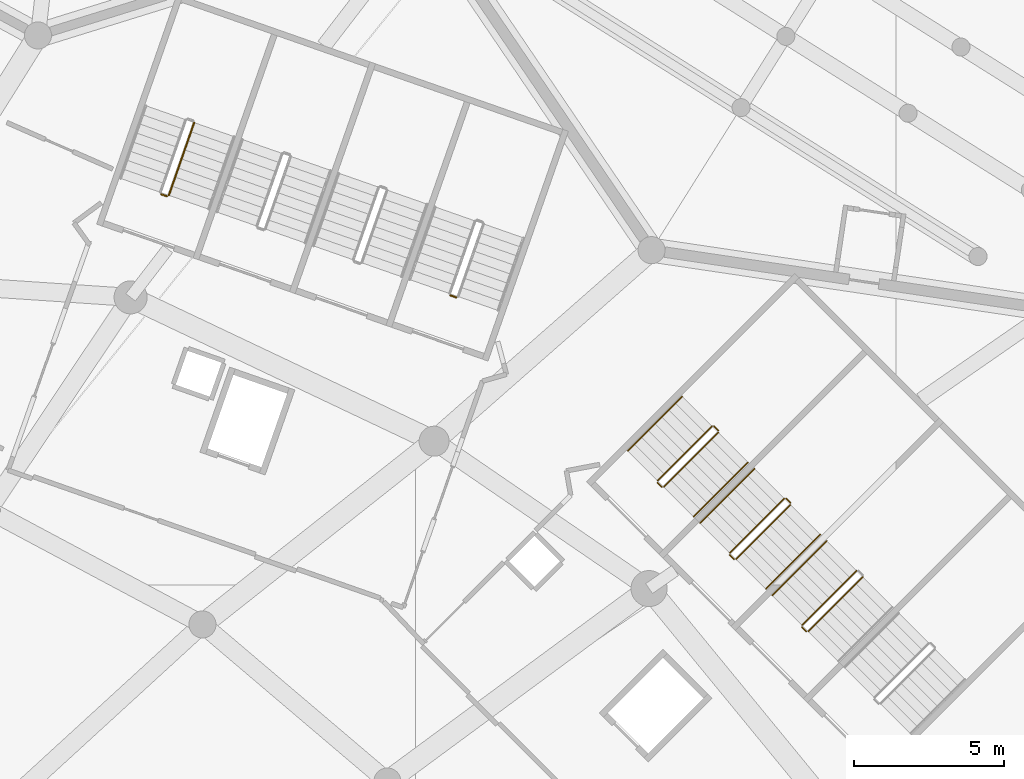
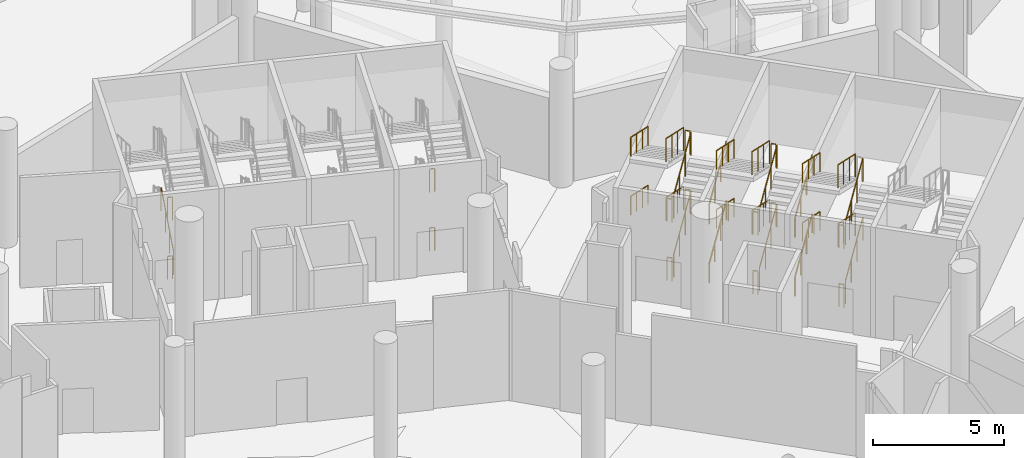
# One storey, part 268 of 271: 37 railings.
"""IFC4 building model written with IfcOpenShell, lengths in metres."""

import ifcopenshell
import ifcopenshell.guid

model = None  # the IFC model being written
_history = None  # IfcOwnerHistory: only IFC2X3 demands one
_inside = {}  # id of a spatial element -> (the spatial element, [elements in it])
_under = {}  # id of a project, library or spatial element -> (it, [spatial elements below it])
_declared = {}  # id of a project -> (the project, [libraries it declares])
_typed = {}  # id of a type object -> (the type object, [elements of that type])
_made_of = {}  # id of a material, layer set ... -> (it, [elements and type objects made of it])


def new_model(schema):
    """Start an empty IFC model of exactly this schema.

    Asked for "IFC4X3", IfcOpenShell would pick the latest addendum, in which some entities
    have other attributes; the version numbers below select the first issue.
    IFC2X3 requires an IfcOwnerHistory on every rooted entity: one is made here for all.
    """
    global model, _history
    if schema == "IFC4X3":
        model = ifcopenshell.file(schema_version=(4, 3, 0, 0))
    else:
        model = ifcopenshell.file(schema=schema)
    _inside.clear()
    _under.clear()
    _declared.clear()
    _typed.clear()
    _made_of.clear()
    _history = None
    if model.schema == "IFC2X3":
        org = make("IfcOrganization", Name="unknown")
        user = make(
            "IfcPersonAndOrganization",
            ThePerson=make("IfcPerson", FamilyName="unknown"),
            TheOrganization=org,
        )
        app = make(
            "IfcApplication",
            ApplicationDeveloper=org,
            Version="unknown",
            ApplicationFullName="unknown",
            ApplicationIdentifier="unknown",
        )
        _history = make(
            "IfcOwnerHistory",
            OwningUser=user,
            OwningApplication=app,
            ChangeAction="ADDED",
            CreationDate=0,
        )
    return model


def make(cls, **values):
    """One entity of the class cls with the attributes given. An attribute that is None is left unset."""
    return model.create_entity(
        cls, **{name: value for name, value in values.items() if value is not None}
    )


def rooted(cls, **values):
    """An entity with a GlobalId (a new one), such as an element, a storey or a relation."""
    return make(cls, GlobalId=ifcopenshell.guid.new(), OwnerHistory=_history, **values)


def si_unit(unit_type, name, prefix=None):
    """IfcSIUnit, for example si_unit("LENGTHUNIT", "METRE", prefix="MILLI")."""
    return make("IfcSIUnit", UnitType=unit_type, Prefix=prefix, Name=name)


def assignment(units):
    """IfcUnitAssignment: the units of a project."""
    return None if units is None else make("IfcUnitAssignment", Units=units)


def point(xyz):
    """IfcCartesianPoint."""
    return None if xyz is None else make("IfcCartesianPoint", Coordinates=xyz)


def direction(xyz):
    """IfcDirection."""
    return None if xyz is None else make("IfcDirection", DirectionRatios=xyz)


def frame(location, z_axis=None, x_axis=None):
    """IfcAxis2Placement3D, a coordinate frame: its origin and axes. An axis left out is left unset."""
    return make(
        "IfcAxis2Placement3D",
        Location=point(location),
        Axis=direction(z_axis),
        RefDirection=direction(x_axis),
    )


def frame_2d(location, x_axis=None):
    """IfcAxis2Placement2D, a coordinate frame in the plane: its origin and x axis."""
    return make(
        "IfcAxis2Placement2D", Location=point(location), RefDirection=direction(x_axis)
    )


def origin():
    """The frame at (0, 0, 0) with its axes left unset."""
    return frame((0.0, 0.0, 0.0))


def origin_2d():
    """The frame at (0, 0) in the plane with its x axis left unset."""
    return frame_2d((0.0, 0.0))


def place(relative_to, where):
    """IfcLocalPlacement: puts the frame where relative to a parent placement (None: the world)."""
    return make(
        "IfcLocalPlacement", PlacementRelTo=relative_to, RelativePlacement=where
    )


def context(
    kind, dimensions, precision=None, world=None, true_north=None, identifier=None
):
    """IfcGeometricRepresentationContext, for example the 3D "Model" context."""
    return make(
        "IfcGeometricRepresentationContext",
        ContextIdentifier=identifier,
        ContextType=kind,
        CoordinateSpaceDimension=dimensions,
        Precision=precision,
        WorldCoordinateSystem=world,
        TrueNorth=true_north,
    )


def subcontext(parent, identifier, kind, view, scale=None):
    """IfcGeometricRepresentationSubContext, for example "Body" below "Model"."""
    return make(
        "IfcGeometricRepresentationSubContext",
        ContextIdentifier=identifier,
        ContextType=kind,
        ParentContext=parent,
        TargetScale=scale,
        TargetView=view,
    )


def project(units=None, contexts=None):
    """IfcProject with its units and contexts."""
    return rooted(
        "IfcProject",
        Name="project",
        RepresentationContexts=contexts,
        UnitsInContext=assignment(units),
    )


def spatial(cls, under=None, at=None, **own):
    """A site, building, storey or space (cls), placed at a placement, below another one or the project."""
    s = rooted(cls, ObjectPlacement=at, **own)
    if under is not None:
        _under.setdefault(under.id(), (under, []))[1].append(s)
    return s


def profile(cls, at=None, kind="AREA", **sizes):
    """A parametric profile (cls). Its sizes go by their IFC names, for example OverallWidth=200.0."""
    return make(cls, ProfileType=kind, Position=at, **sizes)


def circle(**sizes):
    """IfcCircleProfileDef."""
    return profile("IfcCircleProfileDef", **sizes)


def extrude(swept, where, along, depth):
    """IfcExtrudedAreaSolid: the profile swept, set in the frame where, extruded along a direction by depth."""
    return make(
        "IfcExtrudedAreaSolid",
        SweptArea=swept,
        Position=where,
        ExtrudedDirection=direction(along),
        Depth=depth,
    )


def shape(context_of_items, identifier, shape_type, items):
    """IfcShapeRepresentation: the items that make up one representation, for example the "Body"."""
    return make(
        "IfcShapeRepresentation",
        ContextOfItems=context_of_items,
        RepresentationIdentifier=identifier,
        RepresentationType=shape_type,
        Items=items,
    )


def material(Name=None, Category=None):
    """IfcMaterial."""
    return make("IfcMaterial", Name=Name, Category=Category)


def made_of(thing, what):
    """Note that an element or type object is made of a material, layer set ...; save() writes the relation."""
    if what is not None:
        _made_of.setdefault(what.id(), (what, []))[1].append(thing)
    return thing


def type_object(cls, material=None, **own):
    """A type object (cls), such as IfcWallType, which elements share."""
    return made_of(rooted(cls, **own), material)


def element(
    cls,
    number,
    at=None,
    inside=None,
    cuts=None,
    type_object=None,
    material=None,
    context=None,
    identifier="Body",
    shape_type=None,
    held_by="IfcProductDefinitionShape",
    body=None,
    shapes=None,
    **own,
):
    """One element of the class cls, such as IfcWall. Its Tag is "e" and its number.

    at: its placement. inside: the storey or other place that contains it. cuts: it is an
    opening in that element (IfcRelVoidsElement). A single representation is given by context,
    identifier, shape_type and body (its items); several are given by shapes. held_by: the class
    of the entity that holds the representations. save() writes the other relations.
    """
    e = rooted(cls, Tag="e%d" % number, ObjectPlacement=at, **own)
    if body is not None:
        shapes = [shape(context, identifier, shape_type, body)]
    if shapes is not None:
        e.Representation = make(held_by, Representations=shapes)
    if inside is not None:
        _inside.setdefault(inside.id(), (inside, []))[1].append(e)
    if cuts is not None:
        rooted(
            "IfcRelVoidsElement", RelatingBuildingElement=cuts, RelatedOpeningElement=e
        )
    if type_object is not None:
        _typed.setdefault(type_object.id(), (type_object, []))[1].append(e)
    return made_of(e, material)


def aggregate(whole, parts):
    """IfcRelAggregates: a whole, such as a stair, and the parts it consists of."""
    return rooted("IfcRelAggregates", RelatingObject=whole, RelatedObjects=parts)


def save(model, path):
    """Write the relations noted so far, then the file.

    IfcRelAggregates (storeys below a building ...), IfcRelContainedInSpatialStructure (elements
    in a storey), IfcRelDefinesByType, IfcRelAssociatesMaterial and IfcRelDeclares: one each for
    every whole, place, type object, material and project.
    """
    for whole, parts in _under.values():
        aggregate(whole, parts)
    for where, things in _inside.values():
        rooted(
            "IfcRelContainedInSpatialStructure",
            RelatedElements=things,
            RelatingStructure=where,
        )
    for kind, things in _typed.values():
        rooted("IfcRelDefinesByType", RelatedObjects=things, RelatingType=kind)
    for what, things in _made_of.values():
        rooted("IfcRelAssociatesMaterial", RelatedObjects=things, RelatingMaterial=what)
    for by, libraries in _declared.values():
        rooted("IfcRelDeclares", RelatingContext=by, RelatedDefinitions=libraries)
    model.write(path)


model = new_model("IFC4")

# Units and contexts
model_context = context("Model", 3, precision=1e-05, world=origin(), true_north=direction((0.0, 1.0)))
body_context = subcontext(model_context, "Body", "Model", "MODEL_VIEW")
ifc_project = project(units=[si_unit("LENGTHUNIT", "METRE"), si_unit("AREAUNIT", "SQUARE_METRE"), si_unit("VOLUMEUNIT", "CUBIC_METRE"), si_unit("PLANEANGLEUNIT", "RADIAN"), si_unit("MASSUNIT", "GRAM", prefix="KILO")], contexts=[model_context])

# Site, building, storey
site_placement = place(None, origin())
site = spatial("IfcSite", under=ifc_project, at=site_placement, CompositionType="ELEMENT")
building_placement = place(site_placement, origin())
building = spatial("IfcBuilding", under=site, at=building_placement, Name="Meseta Stadium", CompositionType="ELEMENT")
storey_placement = place(building_placement, frame((0.0, 0.0, 6.5)))
storey = spatial("IfcBuildingStorey", under=building, at=storey_placement, Name="L01", CompositionType="ELEMENT", Elevation=6.5)

# Railings
ifc_material_1 = material(Name="Steel S355", Category="steel")
railing_type_1 = type_object("IfcRailingType", Name="Stair guard 1100", PredefinedType="GUARDRAIL", material=ifc_material_1)
railing_1_placement = place(storey_placement, frame((77.077392578125, 78.4609375, 0.15283203125)))
element("IfcRailing", 1, at=railing_1_placement, inside=storey, type_object=railing_type_1, Name="ST26 L01 guard 1", PredefinedType="GUARDRAIL", context=body_context, shape_type="SweptSolid", body=[
    extrude(circle(Radius=0.02392578125, at=origin_2d()), frame((0.0, 0.0, 1.076171875), z_axis=(0.638072701536, 0.638158764755, 0.430832471526), x_axis=(-0.707154463629, 0.707059095529, 0.0)), (0.0, 0.0, 1.0), 2.836669921875),
    extrude(circle(Radius=0.02099609375, at=origin_2d()), origin(), (0.0, 0.0, 1.0), 1.052001953125),
    extrude(circle(Radius=0.02099609375, at=origin_2d()), frame((0.603271484375, 0.603515625, 0.407470703125)), (0.0, 0.0, 1.0), 1.052001953125),
    extrude(circle(Radius=0.02099609375, at=origin_2d()), frame((1.206787109375, 1.206787109375, 0.814697265625)), (0.0, 0.0, 1.0), 1.052001953125),
    extrude(circle(Radius=0.02099609375, at=origin_2d()), frame((1.81005859375, 1.810302734375, 1.22216796875)), (0.0, 0.0, 1.0), 1.052001953125),
])
railing_2_placement = place(storey_placement, frame((78.67529296875, 80.4833984375, 1.52783203125)))
element("IfcRailing", 2, at=railing_2_placement, inside=storey, type_object=railing_type_1, Name="ST26 L01 guard 3", PredefinedType="GUARDRAIL", context=body_context, shape_type="SweptSolid", body=[
    extrude(circle(Radius=0.02392578125, at=origin_2d()), frame((0.0, 0.0, 1.076171875), z_axis=(-0.638072701536, -0.638158764755, 0.430832471526), x_axis=(0.707154463629, -0.707059095529, 0.0)), (0.0, 0.0, 1.0), 2.836669921875),
    extrude(circle(Radius=0.02099609375, at=origin_2d()), origin(), (0.0, 0.0, 1.0), 1.052001953125),
    extrude(circle(Radius=0.02099609375, at=origin_2d()), frame((-0.603271484375, -0.603515625, 0.407470703125)), (0.0, 0.0, 1.0), 1.052001953125),
    extrude(circle(Radius=0.02099609375, at=origin_2d()), frame((-1.206787109375, -1.206787109375, 0.814697265625)), (0.0, 0.0, 1.0), 1.052001953125),
    extrude(circle(Radius=0.02099609375, at=origin_2d()), frame((-1.81005859375, -1.810302734375, 1.22216796875)), (0.0, 0.0, 1.0), 1.052001953125),
])
railing_3_placement = place(storey_placement, frame((77.006591796875, 78.4609375, 2.75)))
element("IfcRailing", 3, at=railing_3_placement, inside=storey, type_object=railing_type_1, Name="ST26 L01 guard 4", PredefinedType="GUARDRAIL", context=body_context, shape_type="SweptSolid", body=[
    extrude(circle(Radius=0.02392578125, at=origin_2d()), frame((0.0, 0.0, 1.076171875), z_axis=(-0.706496417452, 0.707716618519, 0.0), x_axis=(-0.707716618519, -0.706496417452, 0.0)), (0.0, 0.0, 1.0), 0.2001953125),
    extrude(circle(Radius=0.02099609375, at=origin_2d()), origin(), (0.0, 0.0, 1.0), 1.052001953125),
    extrude(circle(Radius=0.02099609375, at=origin_2d()), frame((-0.141357421875, 0.1416015625, 0.0)), (0.0, 0.0, 1.0), 1.052001953125),
])
railing_4_placement = place(storey_placement, frame((77.077392578125, 78.4609375, 2.90283203125)))
element("IfcRailing", 4, at=railing_4_placement, inside=storey, type_object=railing_type_1, Name="ST26 L01 guard 5", PredefinedType="GUARDRAIL", context=body_context, shape_type="SweptSolid", body=[
    extrude(circle(Radius=0.02392578125, at=origin_2d()), frame((0.0, 0.0, 1.076171875), z_axis=(0.638072701536, 0.638158764755, 0.430832471526), x_axis=(-0.707154463629, 0.707059095529, 0.0)), (0.0, 0.0, 1.0), 2.836669921875),
    extrude(circle(Radius=0.02099609375, at=origin_2d()), origin(), (0.0, 0.0, 1.0), 1.052001953125),
    extrude(circle(Radius=0.02099609375, at=origin_2d()), frame((0.603271484375, 0.603515625, 0.407470703125)), (0.0, 0.0, 1.0), 1.052001953125),
    extrude(circle(Radius=0.02099609375, at=origin_2d()), frame((1.206787109375, 1.206787109375, 0.814697265625)), (0.0, 0.0, 1.0), 1.052001953125),
    extrude(circle(Radius=0.02099609375, at=origin_2d()), frame((1.81005859375, 1.810302734375, 1.22216796875)), (0.0, 0.0, 1.0), 1.052001953125),
])
railing_5_placement = place(storey_placement, frame((78.67529296875, 80.4833984375, 4.27783203125)))
element("IfcRailing", 5, at=railing_5_placement, inside=storey, type_object=railing_type_1, Name="ST26 L01 guard 7", PredefinedType="GUARDRAIL", context=body_context, shape_type="SweptSolid", body=[
    extrude(circle(Radius=0.02392578125, at=origin_2d()), frame((0.0, 0.0, 1.076171875), z_axis=(-0.638072701536, -0.638158764755, 0.430832471526), x_axis=(0.707154463629, -0.707059095529, 0.0)), (0.0, 0.0, 1.0), 2.836669921875),
    extrude(circle(Radius=0.02099609375, at=origin_2d()), origin(), (0.0, 0.0, 1.0), 1.052001953125),
    extrude(circle(Radius=0.02099609375, at=origin_2d()), frame((-0.603271484375, -0.603515625, 0.407470703125)), (0.0, 0.0, 1.0), 1.052001953125),
    extrude(circle(Radius=0.02099609375, at=origin_2d()), frame((-1.206787109375, -1.206787109375, 0.814697265625)), (0.0, 0.0, 1.0), 1.052001953125),
    extrude(circle(Radius=0.02099609375, at=origin_2d()), frame((-1.81005859375, -1.810302734375, 1.22216796875)), (0.0, 0.0, 1.0), 1.052001953125),
])
railing_6_placement = place(storey_placement, frame((77.006591796875, 78.4609375, 0.0)))
element("IfcRailing", 6, at=railing_6_placement, inside=storey, type_object=railing_type_1, Name="ST26 L01 guard 8", PredefinedType="GUARDRAIL", context=body_context, shape_type="SweptSolid", body=[
    extrude(circle(Radius=0.02392578125, at=origin_2d()), frame((0.0, 0.0, 1.076171875), z_axis=(-0.706496417452, 0.707716618519, 0.0), x_axis=(-0.707716618519, -0.706496417452, 0.0)), (0.0, 0.0, 1.0), 0.2001953125),
    extrude(circle(Radius=0.02099609375, at=origin_2d()), origin(), (0.0, 0.0, 1.0), 1.052001953125),
    extrude(circle(Radius=0.02099609375, at=origin_2d()), frame((-0.141357421875, 0.1416015625, 0.0)), (0.0, 0.0, 1.0), 1.052001953125),
])
railing_7_placement = place(storey_placement, frame((74.673095703125, 80.865234375, 0.15283203125)))
element("IfcRailing", 7, at=railing_7_placement, inside=storey, type_object=railing_type_1, Name="ST27 L01 guard 1", PredefinedType="GUARDRAIL", context=body_context, shape_type="SweptSolid", body=[
    extrude(circle(Radius=0.02392578125, at=origin_2d()), frame((0.0, 0.0, 1.076171875), z_axis=(0.638158764755, 0.638072701536, 0.430832471526), x_axis=(-0.707059095529, 0.707154463629, 0.0)), (0.0, 0.0, 1.0), 2.836669921875),
    extrude(circle(Radius=0.02099609375, at=origin_2d()), origin(), (0.0, 0.0, 1.0), 1.052001953125),
    extrude(circle(Radius=0.02099609375, at=origin_2d()), frame((0.603515625, 0.603271484375, 0.407470703125)), (0.0, 0.0, 1.0), 1.052001953125),
    extrude(circle(Radius=0.02099609375, at=origin_2d()), frame((1.206787109375, 1.206787109375, 0.814697265625)), (0.0, 0.0, 1.0), 1.052001953125),
    extrude(circle(Radius=0.02099609375, at=origin_2d()), frame((1.810302734375, 1.81005859375, 1.22216796875)), (0.0, 0.0, 1.0), 1.052001953125),
])
railing_8_placement = place(storey_placement, frame((76.4833984375, 82.74609375, 1.375)))
element("IfcRailing", 8, at=railing_8_placement, inside=storey, type_object=railing_type_1, Name="ST27 L01 guard 2", PredefinedType="GUARDRAIL", context=body_context, shape_type="SweptSolid", body=[
    extrude(circle(Radius=0.02392578125, at=origin_2d()), frame((0.0, 0.0, 1.076171875), z_axis=(-0.707106781187, 0.707106781187, 0.0), x_axis=(-0.707106781187, -0.707106781187, 0.0)), (0.0, 0.0, 1.0), 0.199951171875),
    extrude(circle(Radius=0.02099609375, at=origin_2d()), origin(), (0.0, 0.0, 1.0), 1.052001953125),
    extrude(circle(Radius=0.02099609375, at=origin_2d()), frame((-0.141357421875, 0.141357421875, 0.0)), (0.0, 0.0, 1.0), 1.052001953125),
])
railing_9_placement = place(storey_placement, frame((76.271240234375, 82.887451171875, 1.52783203125)))
element("IfcRailing", 9, at=railing_9_placement, inside=storey, type_object=railing_type_1, Name="ST27 L01 guard 3", PredefinedType="GUARDRAIL", context=body_context, shape_type="SweptSolid", body=[
    extrude(circle(Radius=0.02392578125, at=origin_2d()), frame((0.0, 0.0, 1.076171875), z_axis=(-0.638158764755, -0.638072701536, 0.430832471526), x_axis=(0.707059095529, -0.707154463629, 0.0)), (0.0, 0.0, 1.0), 2.836669921875),
    extrude(circle(Radius=0.02099609375, at=origin_2d()), origin(), (0.0, 0.0, 1.0), 1.052001953125),
    extrude(circle(Radius=0.02099609375, at=origin_2d()), frame((-0.603515625, -0.603271484375, 0.407470703125)), (0.0, 0.0, 1.0), 1.052001953125),
    extrude(circle(Radius=0.02099609375, at=origin_2d()), frame((-1.206787109375, -1.206787109375, 0.814697265625)), (0.0, 0.0, 1.0), 1.052001953125),
    extrude(circle(Radius=0.02099609375, at=origin_2d()), frame((-1.810302734375, -1.81005859375, 1.22216796875)), (0.0, 0.0, 1.0), 1.052001953125),
])
railing_10_placement = place(storey_placement, frame((74.6025390625, 80.865234375, 2.75)))
element("IfcRailing", 10, at=railing_10_placement, inside=storey, type_object=railing_type_1, Name="ST27 L01 guard 4", PredefinedType="GUARDRAIL", context=body_context, shape_type="SweptSolid", body=[
    extrude(circle(Radius=0.02392578125, at=origin_2d()), frame((0.0, 0.0, 1.076171875), z_axis=(-0.707716618519, 0.706496417452, 0.0), x_axis=(-0.706496417452, -0.707716618519, 0.0)), (0.0, 0.0, 1.0), 0.2001953125),
    extrude(circle(Radius=0.02099609375, at=origin_2d()), origin(), (0.0, 0.0, 1.0), 1.052001953125),
    extrude(circle(Radius=0.02099609375, at=origin_2d()), frame((-0.1416015625, 0.141357421875, 0.0)), (0.0, 0.0, 1.0), 1.052001953125),
])
railing_11_placement = place(storey_placement, frame((74.673095703125, 80.865234375, 2.90283203125)))
element("IfcRailing", 11, at=railing_11_placement, inside=storey, type_object=railing_type_1, Name="ST27 L01 guard 5", PredefinedType="GUARDRAIL", context=body_context, shape_type="SweptSolid", body=[
    extrude(circle(Radius=0.02392578125, at=origin_2d()), frame((0.0, 0.0, 1.076171875), z_axis=(0.638158764755, 0.638072701536, 0.430832471526), x_axis=(-0.707059095529, 0.707154463629, 0.0)), (0.0, 0.0, 1.0), 2.836669921875),
    extrude(circle(Radius=0.02099609375, at=origin_2d()), origin(), (0.0, 0.0, 1.0), 1.052001953125),
    extrude(circle(Radius=0.02099609375, at=origin_2d()), frame((0.603515625, 0.603271484375, 0.407470703125)), (0.0, 0.0, 1.0), 1.052001953125),
    extrude(circle(Radius=0.02099609375, at=origin_2d()), frame((1.206787109375, 1.206787109375, 0.814697265625)), (0.0, 0.0, 1.0), 1.052001953125),
    extrude(circle(Radius=0.02099609375, at=origin_2d()), frame((1.810302734375, 1.81005859375, 1.22216796875)), (0.0, 0.0, 1.0), 1.052001953125),
])
railing_12_placement = place(storey_placement, frame((76.4833984375, 82.74609375, 4.125)))
element("IfcRailing", 12, at=railing_12_placement, inside=storey, type_object=railing_type_1, Name="ST27 L01 guard 6", PredefinedType="GUARDRAIL", context=body_context, shape_type="SweptSolid", body=[
    extrude(circle(Radius=0.02392578125, at=origin_2d()), frame((0.0, 0.0, 1.076171875), z_axis=(-0.707106781187, 0.707106781187, 0.0), x_axis=(-0.707106781187, -0.707106781187, 0.0)), (0.0, 0.0, 1.0), 0.199951171875),
    extrude(circle(Radius=0.02099609375, at=origin_2d()), origin(), (0.0, 0.0, 1.0), 1.052001953125),
    extrude(circle(Radius=0.02099609375, at=origin_2d()), frame((-0.141357421875, 0.141357421875, 0.0)), (0.0, 0.0, 1.0), 1.052001953125),
])
railing_13_placement = place(storey_placement, frame((76.271240234375, 82.887451171875, 4.27783203125)))
element("IfcRailing", 13, at=railing_13_placement, inside=storey, type_object=railing_type_1, Name="ST27 L01 guard 7", PredefinedType="GUARDRAIL", context=body_context, shape_type="SweptSolid", body=[
    extrude(circle(Radius=0.02392578125, at=origin_2d()), frame((0.0, 0.0, 1.076171875), z_axis=(-0.638158764755, -0.638072701536, 0.430832471526), x_axis=(0.707059095529, -0.707154463629, 0.0)), (0.0, 0.0, 1.0), 2.836669921875),
    extrude(circle(Radius=0.02099609375, at=origin_2d()), origin(), (0.0, 0.0, 1.0), 1.052001953125),
    extrude(circle(Radius=0.02099609375, at=origin_2d()), frame((-0.603515625, -0.603271484375, 0.407470703125)), (0.0, 0.0, 1.0), 1.052001953125),
    extrude(circle(Radius=0.02099609375, at=origin_2d()), frame((-1.206787109375, -1.206787109375, 0.814697265625)), (0.0, 0.0, 1.0), 1.052001953125),
    extrude(circle(Radius=0.02099609375, at=origin_2d()), frame((-1.810302734375, -1.81005859375, 1.22216796875)), (0.0, 0.0, 1.0), 1.052001953125),
])
railing_14_placement = place(storey_placement, frame((74.6025390625, 80.865234375, 0.0)))
element("IfcRailing", 14, at=railing_14_placement, inside=storey, type_object=railing_type_1, Name="ST27 L01 guard 8", PredefinedType="GUARDRAIL", context=body_context, shape_type="SweptSolid", body=[
    extrude(circle(Radius=0.02392578125, at=origin_2d()), frame((0.0, 0.0, 1.076171875), z_axis=(-0.707716618519, 0.706496417452, 0.0), x_axis=(-0.706496417452, -0.707716618519, 0.0)), (0.0, 0.0, 1.0), 0.2001953125),
    extrude(circle(Radius=0.02099609375, at=origin_2d()), origin(), (0.0, 0.0, 1.0), 1.052001953125),
    extrude(circle(Radius=0.02099609375, at=origin_2d()), frame((-0.1416015625, 0.141357421875, 0.0)), (0.0, 0.0, 1.0), 1.052001953125),
])
railing_15_placement = place(storey_placement, frame((72.26904296875, 83.269287109375, 0.15283203125)))
element("IfcRailing", 15, at=railing_15_placement, inside=storey, type_object=railing_type_1, Name="ST28 L01 guard 1", PredefinedType="GUARDRAIL", context=body_context, shape_type="SweptSolid", body=[
    extrude(circle(Radius=0.02392578125, at=origin_2d()), frame((0.0, 0.0, 1.076171875), z_axis=(0.638072701536, 0.638158764755, 0.430832471526), x_axis=(-0.707154463629, 0.707059095529, 0.0)), (0.0, 0.0, 1.0), 2.836669921875),
    extrude(circle(Radius=0.02099609375, at=origin_2d()), origin(), (0.0, 0.0, 1.0), 1.052001953125),
    extrude(circle(Radius=0.02099609375, at=origin_2d()), frame((0.603271484375, 0.603515625, 0.407470703125)), (0.0, 0.0, 1.0), 1.052001953125),
    extrude(circle(Radius=0.02099609375, at=origin_2d()), frame((1.206787109375, 1.206787109375, 0.814697265625)), (0.0, 0.0, 1.0), 1.052001953125),
    extrude(circle(Radius=0.02099609375, at=origin_2d()), frame((1.81005859375, 1.810302734375, 1.22216796875)), (0.0, 0.0, 1.0), 1.052001953125),
])
railing_16_placement = place(storey_placement, frame((74.0791015625, 85.150390625, 1.375)))
element("IfcRailing", 16, at=railing_16_placement, inside=storey, type_object=railing_type_1, Name="ST28 L01 guard 2", PredefinedType="GUARDRAIL", context=body_context, shape_type="SweptSolid", body=[
    extrude(circle(Radius=0.02392578125, at=origin_2d()), frame((0.0, 0.0, 1.076171875), z_axis=(-0.707106781187, 0.707106781187, 0.0), x_axis=(-0.707106781187, -0.707106781187, 0.0)), (0.0, 0.0, 1.0), 0.199951171875),
    extrude(circle(Radius=0.02099609375, at=origin_2d()), origin(), (0.0, 0.0, 1.0), 1.052001953125),
    extrude(circle(Radius=0.02099609375, at=origin_2d()), frame((-0.141357421875, 0.141357421875, 0.0)), (0.0, 0.0, 1.0), 1.052001953125),
])
railing_17_placement = place(storey_placement, frame((73.8671875, 85.291748046875, 1.52783203125)))
element("IfcRailing", 17, at=railing_17_placement, inside=storey, type_object=railing_type_1, Name="ST28 L01 guard 3", PredefinedType="GUARDRAIL", context=body_context, shape_type="SweptSolid", body=[
    extrude(circle(Radius=0.02392578125, at=origin_2d()), frame((0.0, 0.0, 1.076171875), z_axis=(-0.638123721051, -0.638123721051, 0.43080881289), x_axis=(0.707106781187, -0.707106781187, 0.0)), (0.0, 0.0, 1.0), 2.8369140625),
    extrude(circle(Radius=0.02099609375, at=origin_2d()), origin(), (0.0, 0.0, 1.0), 1.052001953125),
    extrude(circle(Radius=0.02099609375, at=origin_2d()), frame((-0.603515625, -0.603515625, 0.407470703125)), (0.0, 0.0, 1.0), 1.052001953125),
    extrude(circle(Radius=0.02099609375, at=origin_2d()), frame((-1.206787109375, -1.206787109375, 0.814697265625)), (0.0, 0.0, 1.0), 1.052001953125),
    extrude(circle(Radius=0.02099609375, at=origin_2d()), frame((-1.810302734375, -1.810302734375, 1.22216796875)), (0.0, 0.0, 1.0), 1.052001953125),
])
railing_18_placement = place(storey_placement, frame((72.1982421875, 83.269287109375, 2.75)))
element("IfcRailing", 18, at=railing_18_placement, inside=storey, type_object=railing_type_1, Name="ST28 L01 guard 4", PredefinedType="GUARDRAIL", context=body_context, shape_type="SweptSolid", body=[
    extrude(circle(Radius=0.02392578125, at=origin_2d()), frame((0.0, 0.0, 1.076171875), z_axis=(-0.706496417452, 0.707716618519, 0.0), x_axis=(-0.707716618519, -0.706496417452, 0.0)), (0.0, 0.0, 1.0), 0.2001953125),
    extrude(circle(Radius=0.02099609375, at=origin_2d()), origin(), (0.0, 0.0, 1.0), 1.052001953125),
    extrude(circle(Radius=0.02099609375, at=origin_2d()), frame((-0.141357421875, 0.1416015625, 0.0)), (0.0, 0.0, 1.0), 1.052001953125),
])
railing_19_placement = place(storey_placement, frame((72.26904296875, 83.269287109375, 2.90283203125)))
element("IfcRailing", 19, at=railing_19_placement, inside=storey, type_object=railing_type_1, Name="ST28 L01 guard 5", PredefinedType="GUARDRAIL", context=body_context, shape_type="SweptSolid", body=[
    extrude(circle(Radius=0.02392578125, at=origin_2d()), frame((0.0, 0.0, 1.076171875), z_axis=(0.638072701536, 0.638158764755, 0.430832471526), x_axis=(-0.707154463629, 0.707059095529, 0.0)), (0.0, 0.0, 1.0), 2.836669921875),
    extrude(circle(Radius=0.02099609375, at=origin_2d()), origin(), (0.0, 0.0, 1.0), 1.052001953125),
    extrude(circle(Radius=0.02099609375, at=origin_2d()), frame((0.603271484375, 0.603515625, 0.407470703125)), (0.0, 0.0, 1.0), 1.052001953125),
    extrude(circle(Radius=0.02099609375, at=origin_2d()), frame((1.206787109375, 1.206787109375, 0.814697265625)), (0.0, 0.0, 1.0), 1.052001953125),
    extrude(circle(Radius=0.02099609375, at=origin_2d()), frame((1.81005859375, 1.810302734375, 1.22216796875)), (0.0, 0.0, 1.0), 1.052001953125),
])
railing_20_placement = place(storey_placement, frame((74.0791015625, 85.150390625, 4.125)))
element("IfcRailing", 20, at=railing_20_placement, inside=storey, type_object=railing_type_1, Name="ST28 L01 guard 6", PredefinedType="GUARDRAIL", context=body_context, shape_type="SweptSolid", body=[
    extrude(circle(Radius=0.02392578125, at=origin_2d()), frame((0.0, 0.0, 1.076171875), z_axis=(-0.707106781187, 0.707106781187, 0.0), x_axis=(-0.707106781187, -0.707106781187, 0.0)), (0.0, 0.0, 1.0), 0.199951171875),
    extrude(circle(Radius=0.02099609375, at=origin_2d()), origin(), (0.0, 0.0, 1.0), 1.052001953125),
    extrude(circle(Radius=0.02099609375, at=origin_2d()), frame((-0.141357421875, 0.141357421875, 0.0)), (0.0, 0.0, 1.0), 1.052001953125),
])
railing_21_placement = place(storey_placement, frame((73.8671875, 85.291748046875, 4.27783203125)))
element("IfcRailing", 21, at=railing_21_placement, inside=storey, type_object=railing_type_1, Name="ST28 L01 guard 7", PredefinedType="GUARDRAIL", context=body_context, shape_type="SweptSolid", body=[
    extrude(circle(Radius=0.02392578125, at=origin_2d()), frame((0.0, 0.0, 1.076171875), z_axis=(-0.638123721051, -0.638123721051, 0.43080881289), x_axis=(0.707106781187, -0.707106781187, 0.0)), (0.0, 0.0, 1.0), 2.8369140625),
    extrude(circle(Radius=0.02099609375, at=origin_2d()), origin(), (0.0, 0.0, 1.0), 1.052001953125),
    extrude(circle(Radius=0.02099609375, at=origin_2d()), frame((-0.603515625, -0.603515625, 0.407470703125)), (0.0, 0.0, 1.0), 1.052001953125),
    extrude(circle(Radius=0.02099609375, at=origin_2d()), frame((-1.206787109375, -1.206787109375, 0.814697265625)), (0.0, 0.0, 1.0), 1.052001953125),
    extrude(circle(Radius=0.02099609375, at=origin_2d()), frame((-1.810302734375, -1.810302734375, 1.22216796875)), (0.0, 0.0, 1.0), 1.052001953125),
])
railing_22_placement = place(storey_placement, frame((72.1982421875, 83.269287109375, 0.0)))
element("IfcRailing", 22, at=railing_22_placement, inside=storey, type_object=railing_type_1, Name="ST28 L01 guard 8", PredefinedType="GUARDRAIL", context=body_context, shape_type="SweptSolid", body=[
    extrude(circle(Radius=0.02392578125, at=origin_2d()), frame((0.0, 0.0, 1.076171875), z_axis=(-0.706496417452, 0.707716618519, 0.0), x_axis=(-0.707716618519, -0.706496417452, 0.0)), (0.0, 0.0, 1.0), 0.2001953125),
    extrude(circle(Radius=0.02099609375, at=origin_2d()), origin(), (0.0, 0.0, 1.0), 1.052001953125),
    extrude(circle(Radius=0.02099609375, at=origin_2d()), frame((-0.141357421875, 0.1416015625, 0.0)), (0.0, 0.0, 1.0), 1.052001953125),
])
for number, where, name in (
    (23, (65.35791015625, 89.577392578125, 2.75), "ST29 L01 guard 4"),
    (24, (65.35791015625, 89.577392578125, 0.0), "ST29 L01 guard 8"),
):
    element("IfcRailing", number, at=place(storey_placement, frame(where)), inside=storey, type_object=railing_type_1, Name=name, PredefinedType="GUARDRAIL", context=body_context, shape_type="SweptSolid", body=[
        extrude(circle(Radius=0.02392578125, at=origin_2d()), frame((0.0, 0.0, 1.076171875), z_axis=(-0.943686935281, 0.330839792317, 0.0), x_axis=(-0.330839792317, -0.943686935281, 0.0)), (0.0, 0.0, 1.0), 0.199951171875),
        extrude(circle(Radius=0.02099609375, at=origin_2d()), origin(), (0.0, 0.0, 1.0), 1.052001953125),
        extrude(circle(Radius=0.02099609375, at=origin_2d()), frame((-0.188720703125, 0.066162109375, 0.0)), (0.0, 0.0, 1.0), 1.052001953125),
    ])
railing_23_placement = place(storey_placement, frame((55.7939453125, 92.97705078125, 0.15283203125)))
element("IfcRailing", 25, at=railing_23_placement, inside=storey, type_object=railing_type_1, Name="ST32 L01 guard 1", PredefinedType="GUARDRAIL", context=body_context, shape_type="SweptSolid", body=[
    extrude(circle(Radius=0.02392578125, at=origin_2d()), frame((0.0, 0.0, 1.076171875), z_axis=(0.298044258026, 0.851788628844, 0.430843071233), x_axis=(-0.943886603116, 0.330269708658, 0.0)), (0.0, 0.0, 1.0), 2.836669921875),
    extrude(circle(Radius=0.02099609375, at=origin_2d()), origin(), (0.0, 0.0, 1.0), 1.052001953125),
    extrude(circle(Radius=0.02099609375, at=origin_2d()), frame((0.28173828125, 0.805419921875, 0.407470703125)), (0.0, 0.0, 1.0), 1.052001953125),
    extrude(circle(Radius=0.02099609375, at=origin_2d()), frame((0.563720703125, 1.61083984375, 0.814697265625)), (0.0, 0.0, 1.0), 1.052001953125),
    extrude(circle(Radius=0.02099609375, at=origin_2d()), frame((0.845458984375, 2.416259765625, 1.22216796875)), (0.0, 0.0, 1.0), 1.052001953125),
])
for number, where, name in (
    (26, (55.730224609375, 92.9462890625, 2.75), "ST32 L01 guard 4"),
    (27, (55.730224609375, 92.9462890625, 0.0), "ST32 L01 guard 8"),
):
    element("IfcRailing", number, at=place(storey_placement, frame(where)), inside=storey, type_object=railing_type_1, Name=name, PredefinedType="GUARDRAIL", context=body_context, shape_type="SweptSolid", body=[
        extrude(circle(Radius=0.02392578125, at=origin_2d()), frame((0.0, 0.0, 1.076171875), z_axis=(-0.943686935281, 0.330839792317, 0.0), x_axis=(-0.330839792317, -0.943686935281, 0.0)), (0.0, 0.0, 1.0), 0.199951171875),
        extrude(circle(Radius=0.02099609375, at=origin_2d()), origin(), (0.0, 0.0, 1.0), 1.052001953125),
        extrude(circle(Radius=0.02099609375, at=origin_2d()), frame((-0.188720703125, 0.066162109375, 0.0)), (0.0, 0.0, 1.0), 1.052001953125),
    ])
ifc_material_2 = material(Name="Steel S355", Category="steel")
railing_type_2 = type_object("IfcRailingType", Name="Stair handrail 900", PredefinedType="HANDRAIL", material=ifc_material_2)
for number, where, name in (
    (28, (77.685546875, 81.473388671875, 1.52783203125), "ST26 L01 handrail 2"),
    (29, (77.685546875, 81.473388671875, 4.27783203125), "ST26 L01 handrail 4"),
):
    element("IfcRailing", number, at=place(storey_placement, frame(where)), inside=storey, type_object=railing_type_2, Name=name, PredefinedType="HANDRAIL", context=body_context, shape_type="SweptSolid", body=[
        extrude(circle(Radius=0.02392578125, at=origin_2d()), frame((0.0, 0.0, 0.8759765625), z_axis=(-0.638123721051, -0.638123721051, 0.43080881289), x_axis=(0.707106781187, -0.707106781187, 0.0)), (0.0, 0.0, 1.0), 2.8369140625),
        extrude(circle(Radius=0.02099609375, at=origin_2d()), origin(), (0.0, 0.0, 1.0), 0.851806640625),
        extrude(circle(Radius=0.02099609375, at=origin_2d()), frame((-0.603515625, -0.603515625, 0.407470703125)), (0.0, 0.0, 1.0), 0.851806640625),
        extrude(circle(Radius=0.02099609375, at=origin_2d()), frame((-1.206787109375, -1.206787109375, 0.814697265625)), (0.0, 0.0, 1.0), 0.851806640625),
        extrude(circle(Radius=0.02099609375, at=origin_2d()), frame((-1.810302734375, -1.810302734375, 1.22216796875)), (0.0, 0.0, 1.0), 0.851806640625),
    ])
railing_24_placement = place(storey_placement, frame((75.6630859375, 79.875244140625, 0.15283203125)))
element("IfcRailing", 30, at=railing_24_placement, inside=storey, type_object=railing_type_2, Name="ST27 L01 handrail 1", PredefinedType="HANDRAIL", context=body_context, shape_type="SweptSolid", body=[
    extrude(circle(Radius=0.02392578125, at=origin_2d()), frame((0.0, 0.0, 0.8759765625), z_axis=(0.638123721051, 0.638123721051, 0.43080881289), x_axis=(-0.707106781187, 0.707106781187, 0.0)), (0.0, 0.0, 1.0), 2.8369140625),
    extrude(circle(Radius=0.02099609375, at=origin_2d()), origin(), (0.0, 0.0, 1.0), 0.851806640625),
    extrude(circle(Radius=0.02099609375, at=origin_2d()), frame((0.603515625, 0.603515625, 0.407470703125)), (0.0, 0.0, 1.0), 0.851806640625),
    extrude(circle(Radius=0.02099609375, at=origin_2d()), frame((1.206787109375, 1.206787109375, 0.814697265625)), (0.0, 0.0, 1.0), 0.851806640625),
    extrude(circle(Radius=0.02099609375, at=origin_2d()), frame((1.810302734375, 1.810302734375, 1.22216796875)), (0.0, 0.0, 1.0), 0.851806640625),
])
railing_25_placement = place(storey_placement, frame((75.28125, 83.87744140625, 1.52783203125)))
element("IfcRailing", 31, at=railing_25_placement, inside=storey, type_object=railing_type_2, Name="ST27 L01 handrail 2", PredefinedType="HANDRAIL", context=body_context, shape_type="SweptSolid", body=[
    extrude(circle(Radius=0.02392578125, at=origin_2d()), frame((0.0, 0.0, 0.8759765625), z_axis=(-0.638107746287, -0.638107746287, 0.430856134059), x_axis=(0.707106781187, -0.707106781187, 0.0)), (0.0, 0.0, 1.0), 2.836669921875),
    extrude(circle(Radius=0.02099609375, at=origin_2d()), origin(), (0.0, 0.0, 1.0), 0.851806640625),
    extrude(circle(Radius=0.02099609375, at=origin_2d()), frame((-0.603271484375, -0.603271484375, 0.407470703125)), (0.0, 0.0, 1.0), 0.851806640625),
    extrude(circle(Radius=0.02099609375, at=origin_2d()), frame((-1.206787109375, -1.206787109375, 0.814697265625)), (0.0, 0.0, 1.0), 0.851806640625),
    extrude(circle(Radius=0.02099609375, at=origin_2d()), frame((-1.81005859375, -1.81005859375, 1.22216796875)), (0.0, 0.0, 1.0), 0.851806640625),
])
railing_26_placement = place(storey_placement, frame((75.6630859375, 79.875244140625, 2.90283203125)))
element("IfcRailing", 32, at=railing_26_placement, inside=storey, type_object=railing_type_2, Name="ST27 L01 handrail 3", PredefinedType="HANDRAIL", context=body_context, shape_type="SweptSolid", body=[
    extrude(circle(Radius=0.02392578125, at=origin_2d()), frame((0.0, 0.0, 0.8759765625), z_axis=(0.638123721051, 0.638123721051, 0.43080881289), x_axis=(-0.707106781187, 0.707106781187, 0.0)), (0.0, 0.0, 1.0), 2.8369140625),
    extrude(circle(Radius=0.02099609375, at=origin_2d()), origin(), (0.0, 0.0, 1.0), 0.851806640625),
    extrude(circle(Radius=0.02099609375, at=origin_2d()), frame((0.603515625, 0.603515625, 0.407470703125)), (0.0, 0.0, 1.0), 0.851806640625),
    extrude(circle(Radius=0.02099609375, at=origin_2d()), frame((1.206787109375, 1.206787109375, 0.814697265625)), (0.0, 0.0, 1.0), 0.851806640625),
    extrude(circle(Radius=0.02099609375, at=origin_2d()), frame((1.810302734375, 1.810302734375, 1.22216796875)), (0.0, 0.0, 1.0), 0.851806640625),
])
railing_27_placement = place(storey_placement, frame((75.28125, 83.87744140625, 4.27783203125)))
element("IfcRailing", 33, at=railing_27_placement, inside=storey, type_object=railing_type_2, Name="ST27 L01 handrail 4", PredefinedType="HANDRAIL", context=body_context, shape_type="SweptSolid", body=[
    extrude(circle(Radius=0.02392578125, at=origin_2d()), frame((0.0, 0.0, 0.8759765625), z_axis=(-0.638107746287, -0.638107746287, 0.430856134059), x_axis=(0.707106781187, -0.707106781187, 0.0)), (0.0, 0.0, 1.0), 2.836669921875),
    extrude(circle(Radius=0.02099609375, at=origin_2d()), origin(), (0.0, 0.0, 1.0), 0.851806640625),
    extrude(circle(Radius=0.02099609375, at=origin_2d()), frame((-0.603271484375, -0.603271484375, 0.407470703125)), (0.0, 0.0, 1.0), 0.851806640625),
    extrude(circle(Radius=0.02099609375, at=origin_2d()), frame((-1.206787109375, -1.206787109375, 0.814697265625)), (0.0, 0.0, 1.0), 0.851806640625),
    extrude(circle(Radius=0.02099609375, at=origin_2d()), frame((-1.81005859375, -1.81005859375, 1.22216796875)), (0.0, 0.0, 1.0), 0.851806640625),
])
railing_28_placement = place(storey_placement, frame((73.259033203125, 82.279541015625, 0.15283203125)))
element("IfcRailing", 34, at=railing_28_placement, inside=storey, type_object=railing_type_2, Name="ST28 L01 handrail 1", PredefinedType="HANDRAIL", context=body_context, shape_type="SweptSolid", body=[
    extrude(circle(Radius=0.02392578125, at=origin_2d()), frame((0.0, 0.0, 0.8759765625), z_axis=(0.638107746287, 0.638107746287, 0.430856134059), x_axis=(-0.707106781187, 0.707106781187, 0.0)), (0.0, 0.0, 1.0), 2.836669921875),
    extrude(circle(Radius=0.02099609375, at=origin_2d()), origin(), (0.0, 0.0, 1.0), 0.851806640625),
    extrude(circle(Radius=0.02099609375, at=origin_2d()), frame((0.603271484375, 0.603271484375, 0.407470703125)), (0.0, 0.0, 1.0), 0.851806640625),
    extrude(circle(Radius=0.02099609375, at=origin_2d()), frame((1.206787109375, 1.206787109375, 0.814697265625)), (0.0, 0.0, 1.0), 0.851806640625),
    extrude(circle(Radius=0.02099609375, at=origin_2d()), frame((1.81005859375, 1.81005859375, 1.22216796875)), (0.0, 0.0, 1.0), 0.851806640625),
])
railing_29_placement = place(storey_placement, frame((72.877197265625, 86.28173828125, 1.52783203125)))
element("IfcRailing", 35, at=railing_29_placement, inside=storey, type_object=railing_type_2, Name="ST28 L01 handrail 2", PredefinedType="HANDRAIL", context=body_context, shape_type="SweptSolid", body=[
    extrude(circle(Radius=0.02392578125, at=origin_2d()), frame((0.0, 0.0, 0.8759765625), z_axis=(-0.638123721051, -0.638123721051, 0.43080881289), x_axis=(0.707106781187, -0.707106781187, 0.0)), (0.0, 0.0, 1.0), 2.8369140625),
    extrude(circle(Radius=0.02099609375, at=origin_2d()), origin(), (0.0, 0.0, 1.0), 0.851806640625),
    extrude(circle(Radius=0.02099609375, at=origin_2d()), frame((-0.603515625, -0.603515625, 0.407470703125)), (0.0, 0.0, 1.0), 0.851806640625),
    extrude(circle(Radius=0.02099609375, at=origin_2d()), frame((-1.206787109375, -1.206787109375, 0.814697265625)), (0.0, 0.0, 1.0), 0.851806640625),
    extrude(circle(Radius=0.02099609375, at=origin_2d()), frame((-1.810302734375, -1.810302734375, 1.22216796875)), (0.0, 0.0, 1.0), 0.851806640625),
])
railing_30_placement = place(storey_placement, frame((73.259033203125, 82.279541015625, 2.90283203125)))
element("IfcRailing", 36, at=railing_30_placement, inside=storey, type_object=railing_type_2, Name="ST28 L01 handrail 3", PredefinedType="HANDRAIL", context=body_context, shape_type="SweptSolid", body=[
    extrude(circle(Radius=0.02392578125, at=origin_2d()), frame((0.0, 0.0, 0.8759765625), z_axis=(0.638107746287, 0.638107746287, 0.430856134059), x_axis=(-0.707106781187, 0.707106781187, 0.0)), (0.0, 0.0, 1.0), 2.836669921875),
    extrude(circle(Radius=0.02099609375, at=origin_2d()), origin(), (0.0, 0.0, 1.0), 0.851806640625),
    extrude(circle(Radius=0.02099609375, at=origin_2d()), frame((0.603271484375, 0.603271484375, 0.407470703125)), (0.0, 0.0, 1.0), 0.851806640625),
    extrude(circle(Radius=0.02099609375, at=origin_2d()), frame((1.206787109375, 1.206787109375, 0.814697265625)), (0.0, 0.0, 1.0), 0.851806640625),
    extrude(circle(Radius=0.02099609375, at=origin_2d()), frame((1.81005859375, 1.81005859375, 1.22216796875)), (0.0, 0.0, 1.0), 0.851806640625),
])
railing_31_placement = place(storey_placement, frame((72.877197265625, 86.28173828125, 4.27783203125)))
element("IfcRailing", 37, at=railing_31_placement, inside=storey, type_object=railing_type_2, Name="ST28 L01 handrail 4", PredefinedType="HANDRAIL", context=body_context, shape_type="SweptSolid", body=[
    extrude(circle(Radius=0.02392578125, at=origin_2d()), frame((0.0, 0.0, 0.8759765625), z_axis=(-0.638123721051, -0.638123721051, 0.43080881289), x_axis=(0.707106781187, -0.707106781187, 0.0)), (0.0, 0.0, 1.0), 2.8369140625),
    extrude(circle(Radius=0.02099609375, at=origin_2d()), origin(), (0.0, 0.0, 1.0), 0.851806640625),
    extrude(circle(Radius=0.02099609375, at=origin_2d()), frame((-0.603515625, -0.603515625, 0.407470703125)), (0.0, 0.0, 1.0), 0.851806640625),
    extrude(circle(Radius=0.02099609375, at=origin_2d()), frame((-1.206787109375, -1.206787109375, 0.814697265625)), (0.0, 0.0, 1.0), 0.851806640625),
    extrude(circle(Radius=0.02099609375, at=origin_2d()), frame((-1.810302734375, -1.810302734375, 1.22216796875)), (0.0, 0.0, 1.0), 0.851806640625),
])

save(model, "model.ifc")
